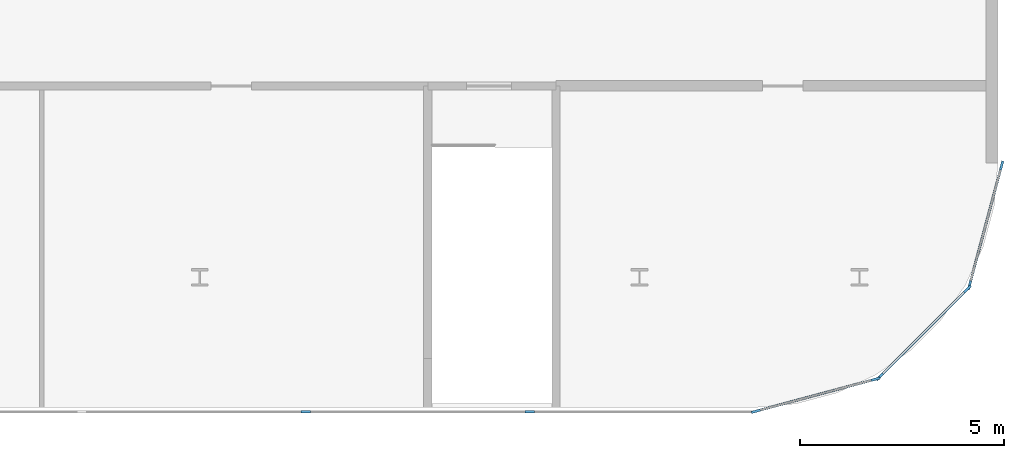
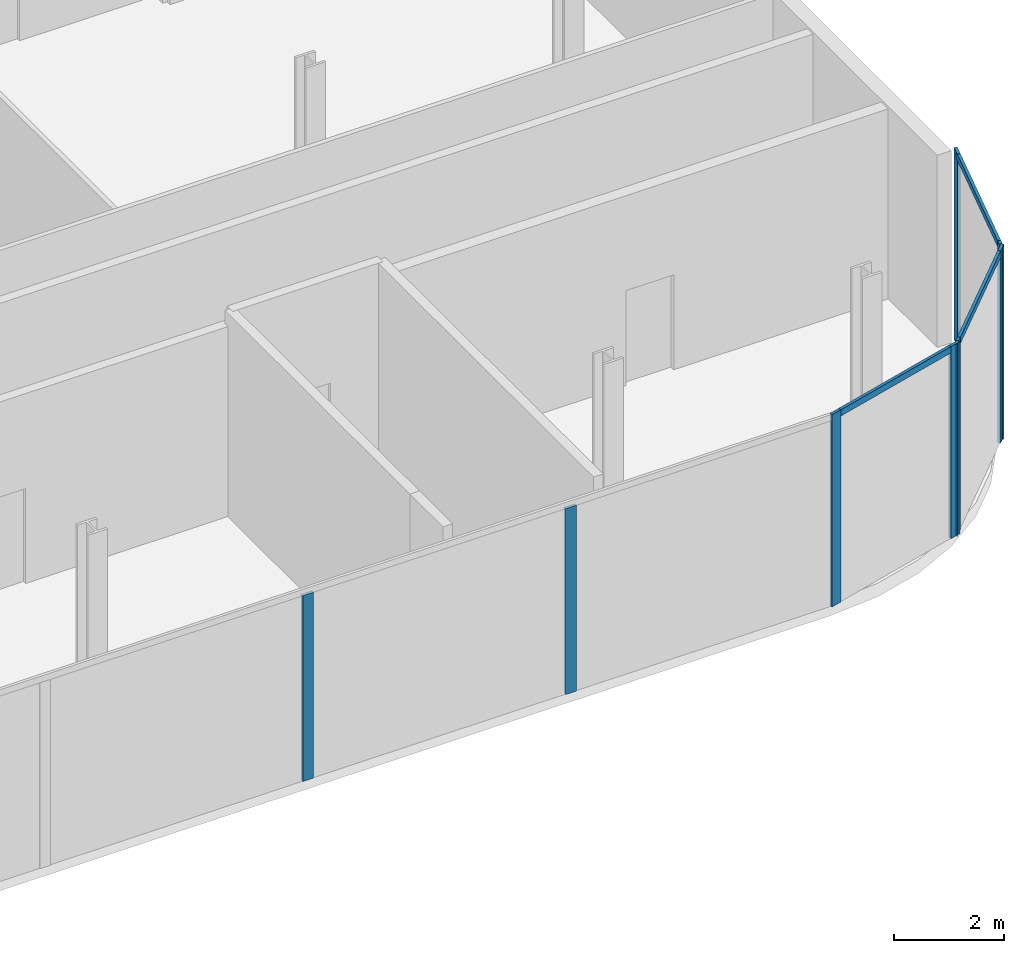
# One storey, part 13 of 43: 11 members, 4 elements without a shape of their own.
"""IFC4 building model written with IfcOpenShell, lengths in metres."""

from ifc_helpers import new_model, si_unit, direction, frame, origin, origin_2d, place, context, subcontext, project, spatial, rectangle, extrude, material, layer, layer_set, material_profile, profile_set, type_object, element, aggregate, save


model = new_model("IFC4")

# Units and contexts
model_context = context("Model", 3, precision=1e-05, world=origin(), true_north=direction((0.0, 1.0)))
body_context = subcontext(model_context, "Body", "Model", "MODEL_VIEW")
ifc_project = project(units=[si_unit("LENGTHUNIT", "METRE"), si_unit("AREAUNIT", "SQUARE_METRE"), si_unit("VOLUMEUNIT", "CUBIC_METRE"), si_unit("PLANEANGLEUNIT", "RADIAN"), si_unit("MASSUNIT", "GRAM", prefix="KILO")], contexts=[model_context])

# Site, building, storey
site_placement = place(None, origin())
site = spatial("IfcSite", under=ifc_project, at=site_placement, CompositionType="ELEMENT")
building_placement = place(site_placement, origin())
building = spatial("IfcBuilding", under=site, at=building_placement, Name="Kheshtan School and Residences Tower", CompositionType="ELEMENT")
storey_placement = place(building_placement, frame((0.0, 0.0, 26.0)))
storey = spatial("IfcBuildingStorey", under=building, at=storey_placement, Name="L05", CompositionType="ELEMENT", Elevation=26.0)

# Curtain wall, members
ifc_material_1 = material(Name="Clear low-e glass in thermally broken aluminium frame", Category="aluminium")
ifc_layer = layer(ifc_material_1, 0.22509765625)
ifc_layer_set = layer_set([ifc_layer], Name="Curtain wall CW-P")
curtain_wall_type = type_object("IfcCurtainWallType", Name="Curtain wall CW-P", PredefinedType="NOTDEFINED", material=ifc_layer_set)
curtain_wall_1_placement = place(storey_placement, origin())
curtain_wall_1 = element("IfcCurtainWall", 1, at=curtain_wall_1_placement, inside=storey, type_object=curtain_wall_type, Name="Curtain wall CWP9a", PredefinedType="NOTDEFINED")
ifc_material_2 = material(Name="Thermally broken aluminium, dark bronze anodised", Category="aluminium")
ifc_material_profile_1 = material_profile(ifc_material_2, rectangle(XDim=0.06005859375, YDim=0.22509765625, at=origin_2d()), Name="CW-P mullion 60x225")
ifc_profile_set_1 = profile_set([ifc_material_profile_1], Name="Thermally broken aluminium, dark bronze anodised")
member_type_1 = type_object("IfcMemberType", Name="CW-P mullion 60x225", PredefinedType="MULLION", material=ifc_profile_set_1)
member_1_placement = place(storey_placement, frame((132.0888671875, 15.945068359375, 0.0), z_axis=(0.0, 0.0, 1.0), x_axis=(0.965913556273, -0.258864833085, 0.0)))
member_1 = element("IfcMember", 2, at=member_1_placement, type_object=member_type_1, Name="CWP9a mullion 1", PredefinedType="MULLION", context=body_context, shape_type="SweptSolid", body=[
    extrude(rectangle(XDim=0.06005859375, YDim=0.22509765625, at=origin_2d()), origin(), (0.0, 0.0, 1.0), 4.25),
])
member_2_placement = place(storey_placement, frame((131.30029296875, 13.003173828125, 0.0), z_axis=(0.0, 0.0, 1.0), x_axis=(0.965913556273, -0.258864833085, 0.0)))
member_2 = element("IfcMember", 3, at=member_2_placement, type_object=member_type_1, Name="CWP9a mullion 2", PredefinedType="MULLION", context=body_context, shape_type="SweptSolid", body=[
    extrude(rectangle(XDim=0.06005859375, YDim=0.22509765625, at=origin_2d()), origin(), (0.0, 0.0, 1.0), 4.25),
])

curtain_wall_2_placement = place(storey_placement, origin())
curtain_wall_2 = element("IfcCurtainWall", 4, at=curtain_wall_2_placement, inside=storey, type_object=curtain_wall_type, Name="Curtain wall CWP10a", PredefinedType="NOTDEFINED")
member_3_placement = place(storey_placement, frame((131.24560546875, 12.907958984375, 0.0), z_axis=(0.0, 0.0, 1.0), x_axis=(0.707106781187, -0.707106781187, 0.0)))
member_3 = element("IfcMember", 5, at=member_3_placement, type_object=member_type_1, Name="CWP10a mullion 1", PredefinedType="MULLION", context=body_context, shape_type="SweptSolid", body=[
    extrude(rectangle(XDim=0.06005859375, YDim=0.22509765625, at=origin_2d()), origin(), (0.0, 0.0, 1.0), 4.25),
])
member_4_placement = place(storey_placement, frame((129.092041015625, 10.75439453125, 0.0), z_axis=(0.0, 0.0, 1.0), x_axis=(0.707106781187, -0.707106781187, 0.0)))
member_4 = element("IfcMember", 6, at=member_4_placement, type_object=member_type_1, Name="CWP10a mullion 2", PredefinedType="MULLION", context=body_context, shape_type="SweptSolid", body=[
    extrude(rectangle(XDim=0.06005859375, YDim=0.22509765625, at=origin_2d()), origin(), (0.0, 0.0, 1.0), 4.25),
])

curtain_wall_3_placement = place(storey_placement, origin())
curtain_wall_3 = element("IfcCurtainWall", 7, at=curtain_wall_3_placement, inside=storey, type_object=curtain_wall_type, Name="Curtain wall CWP11a", PredefinedType="NOTDEFINED")
member_5_placement = place(storey_placement, frame((128.996826171875, 10.69970703125, 0.0), z_axis=(0.0, 0.0, 1.0), x_axis=(0.258864833085, -0.965913556273, 0.0)))
member_5 = element("IfcMember", 8, at=member_5_placement, type_object=member_type_1, Name="CWP11a mullion 1", PredefinedType="MULLION", context=body_context, shape_type="SweptSolid", body=[
    extrude(rectangle(XDim=0.06005859375, YDim=0.22509765625, at=origin_2d()), origin(), (0.0, 0.0, 1.0), 4.25),
])
member_6_placement = place(storey_placement, frame((126.054931640625, 9.9111328125, 0.0), z_axis=(0.0, 0.0, 1.0), x_axis=(0.258864833085, -0.965913556273, 0.0)))
member_6 = element("IfcMember", 9, at=member_6_placement, type_object=member_type_1, Name="CWP11a mullion 2", PredefinedType="MULLION", context=body_context, shape_type="SweptSolid", body=[
    extrude(rectangle(XDim=0.06005859375, YDim=0.22509765625, at=origin_2d()), origin(), (0.0, 0.0, 1.0), 4.25),
])

curtain_wall_4_placement = place(storey_placement, origin())
curtain_wall_4 = element("IfcCurtainWall", 10, at=curtain_wall_4_placement, inside=storey, type_object=curtain_wall_type, Name="Curtain wall CWP12a", PredefinedType="NOTDEFINED")
member_7_placement = place(storey_placement, frame((120.501708984375, 9.89990234375, 0.0), z_axis=(0.0, 0.0, 1.0), x_axis=(0.0, -1.0, 0.0)))
member_7 = element("IfcMember", 11, at=member_7_placement, type_object=member_type_1, Name="CWP12a mullion 2", PredefinedType="MULLION", context=body_context, shape_type="SweptSolid", body=[
    extrude(rectangle(XDim=0.06005859375, YDim=0.22509765625, at=origin_2d()), origin(), (0.0, 0.0, 1.0), 4.110107421875),
])
member_8_placement = place(storey_placement, frame((115.003662109375, 9.89990234375, 0.0), z_axis=(0.0, 0.0, 1.0), x_axis=(0.0, -1.0, 0.0)))
member_8 = element("IfcMember", 12, at=member_8_placement, type_object=member_type_1, Name="CWP12a mullion 3", PredefinedType="MULLION", context=body_context, shape_type="SweptSolid", body=[
    extrude(rectangle(XDim=0.06005859375, YDim=0.22509765625, at=origin_2d()), origin(), (0.0, 0.0, 1.0), 4.110107421875),
])
aggregate(curtain_wall_4, [member_7, member_8])

# Member
ifc_material_profile_2 = material_profile(ifc_material_2, rectangle(XDim=0.06005859375, YDim=0.139892578125, at=origin_2d()), Name="CW-P transom 60x140")
ifc_profile_set_2 = profile_set([ifc_material_profile_2], Name="Thermally broken aluminium, dark bronze anodised")
member_type_2 = type_object("IfcMemberType", Name="CW-P transom 60x140", PredefinedType="USERDEFINED", material=ifc_profile_set_2)
member_9_placement = place(storey_placement, frame((132.0810546875, 15.916259765625, 4.179931640625), z_axis=(-0.258853238275, -0.965916663607, 0.0), x_axis=(0.965916663607, -0.258853238275, 0.0)))
member_9 = element("IfcMember", 13, at=member_9_placement, type_object=member_type_2, Name="CWP9a transom 1", ObjectType="TRANSOM", PredefinedType="USERDEFINED", context=body_context, shape_type="SweptSolid", body=[
    extrude(rectangle(XDim=0.06005859375, YDim=0.139892578125, at=origin_2d()), origin(), (0.0, 0.0, 1.0), 2.986083984375),
])

aggregate(curtain_wall_1, [member_1, member_2, member_9])

member_10_placement = place(storey_placement, frame((131.224365234375, 12.886962890625, 4.179931640625), z_axis=(-0.707106781187, -0.707106781187, 0.0), x_axis=(0.707106781187, -0.707106781187, 0.0)))
member_10 = element("IfcMember", 14, at=member_10_placement, type_object=member_type_2, Name="CWP10a transom 1", ObjectType="TRANSOM", PredefinedType="USERDEFINED", context=body_context, shape_type="SweptSolid", body=[
    extrude(rectangle(XDim=0.06005859375, YDim=0.139892578125, at=origin_2d()), origin(), (0.0, 0.0, 1.0), 2.98583984375),
])

aggregate(curtain_wall_2, [member_3, member_4, member_10])

member_11_placement = place(storey_placement, frame((128.968017578125, 10.69189453125, 4.179931640625), z_axis=(-0.965916663607, -0.258853238275, 0.0), x_axis=(0.258853238275, -0.965916663607, 0.0)))
member_11 = element("IfcMember", 15, at=member_11_placement, type_object=member_type_2, Name="CWP11a transom 1", ObjectType="TRANSOM", PredefinedType="USERDEFINED", context=body_context, shape_type="SweptSolid", body=[
    extrude(rectangle(XDim=0.06005859375, YDim=0.139892578125, at=origin_2d()), origin(), (0.0, 0.0, 1.0), 2.986083984375),
])

aggregate(curtain_wall_3, [member_5, member_6, member_11])

save(model, "model.ifc")
